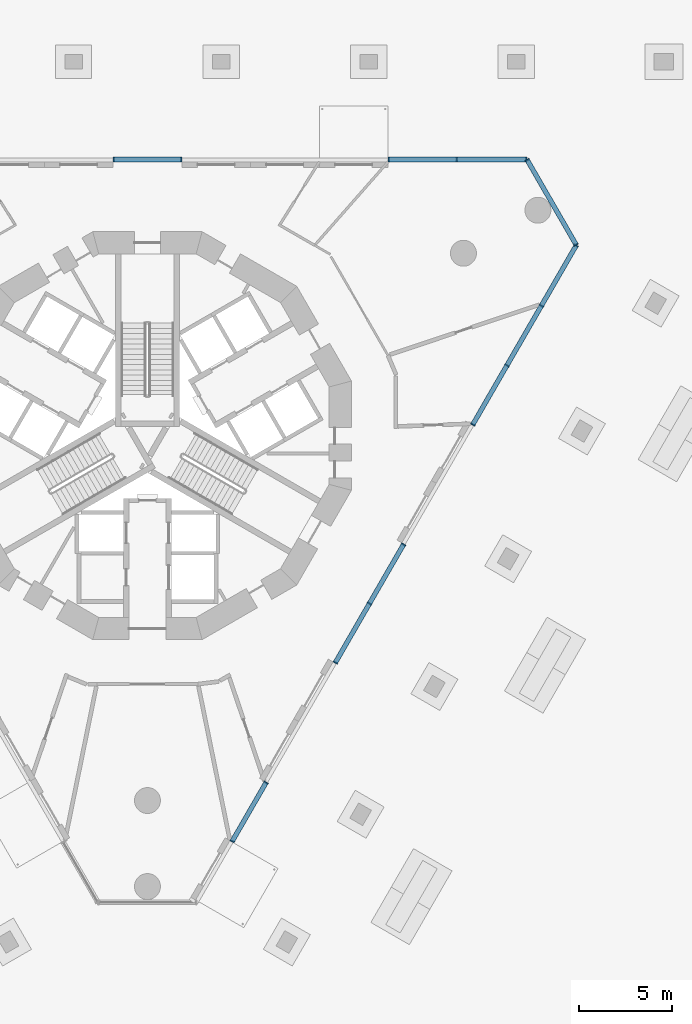
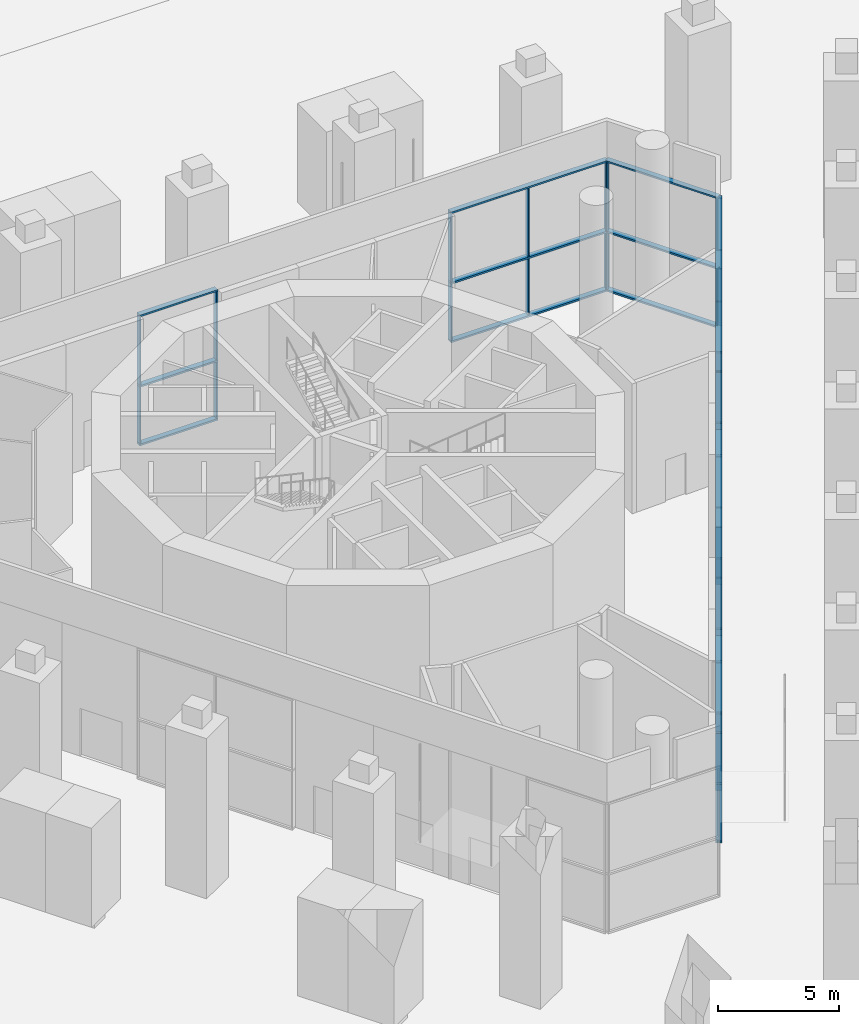
# One storey, part 3 of 26: 50 members, 6 elements without a shape of their own.
"""IFC4 building model written with IfcOpenShell, lengths in metres."""

from ifc_helpers import new_model, si_unit, direction, frame, origin, origin_2d, place, context, subcontext, project, spatial, rectangle, extrude, material, layer, layer_set, material_profile, profile_set, type_object, element, aggregate, save


model = new_model("IFC4")

# Units and contexts
model_context = context("Model", 3, precision=1e-05, world=origin(), true_north=direction((0.0, 1.0)))
body_context = subcontext(model_context, "Body", "Model", "MODEL_VIEW")
ifc_project = project(units=[si_unit("LENGTHUNIT", "METRE"), si_unit("AREAUNIT", "SQUARE_METRE"), si_unit("VOLUMEUNIT", "CUBIC_METRE"), si_unit("PLANEANGLEUNIT", "RADIAN"), si_unit("MASSUNIT", "GRAM", prefix="KILO")], contexts=[model_context])

# Site, building, storey
site_placement = place(None, origin())
site = spatial("IfcSite", under=ifc_project, at=site_placement, CompositionType="ELEMENT")
building_placement = place(site_placement, origin())
building = spatial("IfcBuilding", under=site, at=building_placement, Name="Trine Commons Tower", CompositionType="ELEMENT")
storey_placement = place(building_placement, origin())
storey = spatial("IfcBuildingStorey", under=building, at=storey_placement, Name="L00", CompositionType="ELEMENT", Elevation=0.0)

# Curtain wall, members
ifc_material_1 = material(Name="Ground pavilion glazing: stainless steel grade 1.4401 (aisi 316) frame with laminated low-iron glass unit", Category="steel")
ifc_layer = layer(ifc_material_1, 0.25)
ifc_layer_set = layer_set([ifc_layer], Name="Ground pavilion glazing: stainless steel grade 1.4401 (aisi 316) frame with laminated low-iron glass unit")
curtain_wall_type = type_object("IfcCurtainWallType", Name="Ground pavilion glazing curtain wall CW4", PredefinedType="NOTDEFINED", material=ifc_layer_set)
curtain_wall_1_placement = place(storey_placement, origin())
curtain_wall_1 = element("IfcCurtainWall", 1, at=curtain_wall_1_placement, inside=storey, type_object=curtain_wall_type, Name="Pavilion glazing F1.2", PredefinedType="NOTDEFINED")
ifc_material_2 = material(Name="Stainless steel grade 1.4401 (AISI 316), satin finish", Category="steel")
ifc_material_profile_1 = material_profile(ifc_material_2, rectangle(XDim=0.25, YDim=0.06005859375, at=origin_2d()), Name="Mullion 60x250")
ifc_profile_set_1 = profile_set([ifc_material_profile_1], Name="Stainless steel grade 1.4401 (AISI 316), satin finish")
member_type_1 = type_object("IfcMemberType", Name="Mullion 60x250, Stainless steel grade 1.4401 (AISI 316), satin finish", PredefinedType="MULLION", material=ifc_profile_set_1)
member_1_placement = place(storey_placement, frame((78.17431640625, 77.40966796875, 0.090087890625), z_axis=(0.0, 0.0, 1.0), x_axis=(0.0, 1.0, 0.0)))
member_1 = element("IfcMember", 2, at=member_1_placement, type_object=member_type_1, Name="CW4 mullion 1.1", PredefinedType="MULLION", context=body_context, shape_type="SweptSolid", body=[
    extrude(rectangle(XDim=0.25, YDim=0.06005859375, at=origin_2d()), origin(), (0.0, 0.0, 1.0), 2.864990234375),
])
member_2_placement = place(storey_placement, frame((78.17431640625, 77.40966796875, 3.044921875), z_axis=(0.0, 0.0, 1.0), x_axis=(0.0, 1.0, 0.0)))
member_2 = element("IfcMember", 3, at=member_2_placement, type_object=member_type_1, Name="CW4 mullion 1.2", PredefinedType="MULLION", context=body_context, shape_type="SweptSolid", body=[
    extrude(rectangle(XDim=0.25, YDim=0.06005859375, at=origin_2d()), origin(), (0.0, 0.0, 1.0), 3.465087890625),
])
member_3_placement = place(storey_placement, frame((81.82568359375, 77.40966796875, 0.090087890625), z_axis=(0.0, 0.0, 1.0), x_axis=(0.0, 1.0, 0.0)))
member_3 = element("IfcMember", 4, at=member_3_placement, type_object=member_type_1, Name="CW4 mullion 2.1", PredefinedType="MULLION", context=body_context, shape_type="SweptSolid", body=[
    extrude(rectangle(XDim=0.25, YDim=0.06005859375, at=origin_2d()), origin(), (0.0, 0.0, 1.0), 2.864990234375),
])
member_4_placement = place(storey_placement, frame((81.82568359375, 77.40966796875, 3.044921875), z_axis=(0.0, 0.0, 1.0), x_axis=(0.0, 1.0, 0.0)))
member_4 = element("IfcMember", 5, at=member_4_placement, type_object=member_type_1, Name="CW4 mullion 2.2", PredefinedType="MULLION", context=body_context, shape_type="SweptSolid", body=[
    extrude(rectangle(XDim=0.25, YDim=0.06005859375, at=origin_2d()), origin(), (0.0, 0.0, 1.0), 3.465087890625),
])

curtain_wall_2_placement = place(storey_placement, origin())
curtain_wall_2 = element("IfcCurtainWall", 6, at=curtain_wall_2_placement, inside=storey, type_object=curtain_wall_type, Name="Pavilion glazing F1.3", PredefinedType="NOTDEFINED")
member_5_placement = place(storey_placement, frame((93.019287109375, 77.40966796875, 0.090087890625), z_axis=(0.0, 0.0, 1.0), x_axis=(0.0, 1.0, 0.0)))
member_5 = element("IfcMember", 7, at=member_5_placement, type_object=member_type_1, Name="CW4 mullion 1.1", PredefinedType="MULLION", context=body_context, shape_type="SweptSolid", body=[
    extrude(rectangle(XDim=0.25, YDim=0.06005859375, at=origin_2d()), origin(), (0.0, 0.0, 1.0), 2.864990234375),
])
member_6_placement = place(storey_placement, frame((93.019287109375, 77.40966796875, 3.044921875), z_axis=(0.0, 0.0, 1.0), x_axis=(0.0, 1.0, 0.0)))
member_6 = element("IfcMember", 8, at=member_6_placement, type_object=member_type_1, Name="CW4 mullion 1.2", PredefinedType="MULLION", context=body_context, shape_type="SweptSolid", body=[
    extrude(rectangle(XDim=0.25, YDim=0.06005859375, at=origin_2d()), origin(), (0.0, 0.0, 1.0), 3.465087890625),
])
member_7_placement = place(storey_placement, frame((96.700439453125, 77.40966796875, 0.090087890625), z_axis=(0.0, 0.0, 1.0), x_axis=(0.0, 1.0, 0.0)))
member_7 = element("IfcMember", 9, at=member_7_placement, type_object=member_type_1, Name="CW4 mullion 2.1", PredefinedType="MULLION", context=body_context, shape_type="SweptSolid", body=[
    extrude(rectangle(XDim=0.25, YDim=0.06005859375, at=origin_2d()), origin(), (0.0, 0.0, 1.0), 2.864990234375),
])
member_8_placement = place(storey_placement, frame((96.700439453125, 77.40966796875, 3.044921875), z_axis=(0.0, 0.0, 1.0), x_axis=(0.0, 1.0, 0.0)))
member_8 = element("IfcMember", 10, at=member_8_placement, type_object=member_type_1, Name="CW4 mullion 2.2", PredefinedType="MULLION", context=body_context, shape_type="SweptSolid", body=[
    extrude(rectangle(XDim=0.25, YDim=0.06005859375, at=origin_2d()), origin(), (0.0, 0.0, 1.0), 3.465087890625),
])
member_9_placement = place(storey_placement, frame((100.45361328125, 77.40966796875, 0.090087890625), z_axis=(0.0, 0.0, 1.0), x_axis=(0.0, 1.0, 0.0)))
member_9 = element("IfcMember", 11, at=member_9_placement, type_object=member_type_1, Name="CW4 mullion 3.1", PredefinedType="MULLION", context=body_context, shape_type="SweptSolid", body=[
    extrude(rectangle(XDim=0.25, YDim=0.06005859375, at=origin_2d()), origin(), (0.0, 0.0, 1.0), 2.864990234375),
])
member_10_placement = place(storey_placement, frame((100.45361328125, 77.40966796875, 3.044921875), z_axis=(0.0, 0.0, 1.0), x_axis=(0.0, 1.0, 0.0)))
member_10 = element("IfcMember", 12, at=member_10_placement, type_object=member_type_1, Name="CW4 mullion 3.2", PredefinedType="MULLION", context=body_context, shape_type="SweptSolid", body=[
    extrude(rectangle(XDim=0.25, YDim=0.06005859375, at=origin_2d()), origin(), (0.0, 0.0, 1.0), 3.465087890625),
])

curtain_wall_3_placement = place(storey_placement, origin())
curtain_wall_3 = element("IfcCurtainWall", 13, at=curtain_wall_3_placement, inside=storey, type_object=curtain_wall_type, Name="Pavilion glazing C2.1", PredefinedType="NOTDEFINED")
member_11_placement = place(storey_placement, frame((100.498779296875, 77.383544921875, 0.090087890625), z_axis=(0.0, 0.0, 1.0), x_axis=(0.866025403784, 0.5, 0.0)))
member_11 = element("IfcMember", 14, at=member_11_placement, type_object=member_type_1, Name="CW4 mullion 1.1", PredefinedType="MULLION", context=body_context, shape_type="SweptSolid", body=[
    extrude(rectangle(XDim=0.25, YDim=0.06005859375, at=origin_2d()), origin(), (0.0, 0.0, 1.0), 2.864990234375),
])
member_12_placement = place(storey_placement, frame((100.498779296875, 77.383544921875, 3.044921875), z_axis=(0.0, 0.0, 1.0), x_axis=(0.866025403784, 0.5, 0.0)))
member_12 = element("IfcMember", 15, at=member_12_placement, type_object=member_type_1, Name="CW4 mullion 1.2", PredefinedType="MULLION", context=body_context, shape_type="SweptSolid", body=[
    extrude(rectangle(XDim=0.25, YDim=0.06005859375, at=origin_2d()), origin(), (0.0, 0.0, 1.0), 3.465087890625),
])
member_13_placement = place(storey_placement, frame((103.138916015625, 72.810546875, 0.090087890625), z_axis=(0.0, 0.0, 1.0), x_axis=(0.866025403784, 0.5, 0.0)))
member_13 = element("IfcMember", 16, at=member_13_placement, type_object=member_type_1, Name="CW4 mullion 2.1", PredefinedType="MULLION", context=body_context, shape_type="SweptSolid", body=[
    extrude(rectangle(XDim=0.25, YDim=0.06005859375, at=origin_2d()), origin(), (0.0, 0.0, 1.0), 2.864990234375),
])
member_14_placement = place(storey_placement, frame((103.138916015625, 72.810546875, 3.044921875), z_axis=(0.0, 0.0, 1.0), x_axis=(0.866025403784, 0.5, 0.0)))
member_14 = element("IfcMember", 17, at=member_14_placement, type_object=member_type_1, Name="CW4 mullion 2.2", PredefinedType="MULLION", context=body_context, shape_type="SweptSolid", body=[
    extrude(rectangle(XDim=0.25, YDim=0.06005859375, at=origin_2d()), origin(), (0.0, 0.0, 1.0), 3.465087890625),
])

curtain_wall_4_placement = place(storey_placement, origin())
curtain_wall_4 = element("IfcCurtainWall", 18, at=curtain_wall_4_placement, inside=storey, type_object=curtain_wall_type, Name="Pavilion glazing F2.1", PredefinedType="NOTDEFINED")
member_15_placement = place(storey_placement, frame((103.138916015625, 72.758544921875, 0.090087890625), z_axis=(0.0, 0.0, 1.0), x_axis=(0.866025403784, -0.5, 0.0)))
member_15 = element("IfcMember", 19, at=member_15_placement, type_object=member_type_1, Name="CW4 mullion 1.1", PredefinedType="MULLION", context=body_context, shape_type="SweptSolid", body=[
    extrude(rectangle(XDim=0.25, YDim=0.06005859375, at=origin_2d()), origin(), (0.0, 0.0, 1.0), 2.864990234375),
])
member_16_placement = place(storey_placement, frame((103.138916015625, 72.758544921875, 3.044921875), z_axis=(0.0, 0.0, 1.0), x_axis=(0.866025403784, -0.5, 0.0)))
member_16 = element("IfcMember", 20, at=member_16_placement, type_object=member_type_1, Name="CW4 mullion 1.2", PredefinedType="MULLION", context=body_context, shape_type="SweptSolid", body=[
    extrude(rectangle(XDim=0.25, YDim=0.06005859375, at=origin_2d()), origin(), (0.0, 0.0, 1.0), 3.465087890625),
])
member_17_placement = place(storey_placement, frame((101.26220703125, 69.508056640625, 0.090087890625), z_axis=(0.0, 0.0, 1.0), x_axis=(0.866025403784, -0.5, 0.0)))
member_17 = element("IfcMember", 21, at=member_17_placement, type_object=member_type_1, Name="CW4 mullion 2.1", PredefinedType="MULLION", context=body_context, shape_type="SweptSolid", body=[
    extrude(rectangle(XDim=0.25, YDim=0.06005859375, at=origin_2d()), origin(), (0.0, 0.0, 1.0), 2.864990234375),
])
member_18_placement = place(storey_placement, frame((101.26220703125, 69.508056640625, 3.044921875), z_axis=(0.0, 0.0, 1.0), x_axis=(0.866025403784, -0.5, 0.0)))
member_18 = element("IfcMember", 22, at=member_18_placement, type_object=member_type_1, Name="CW4 mullion 2.2", PredefinedType="MULLION", context=body_context, shape_type="SweptSolid", body=[
    extrude(rectangle(XDim=0.25, YDim=0.06005859375, at=origin_2d()), origin(), (0.0, 0.0, 1.0), 3.465087890625),
])
member_19_placement = place(storey_placement, frame((99.40673828125, 66.294189453125, 0.090087890625), z_axis=(0.0, 0.0, 1.0), x_axis=(0.866025403784, -0.5, 0.0)))
member_19 = element("IfcMember", 23, at=member_19_placement, type_object=member_type_1, Name="CW4 mullion 3.1", PredefinedType="MULLION", context=body_context, shape_type="SweptSolid", body=[
    extrude(rectangle(XDim=0.25, YDim=0.06005859375, at=origin_2d()), origin(), (0.0, 0.0, 1.0), 2.864990234375),
])
member_20_placement = place(storey_placement, frame((99.40673828125, 66.294189453125, 3.044921875), z_axis=(0.0, 0.0, 1.0), x_axis=(0.866025403784, -0.5, 0.0)))
member_20 = element("IfcMember", 24, at=member_20_placement, type_object=member_type_1, Name="CW4 mullion 3.2", PredefinedType="MULLION", context=body_context, shape_type="SweptSolid", body=[
    extrude(rectangle(XDim=0.25, YDim=0.06005859375, at=origin_2d()), origin(), (0.0, 0.0, 1.0), 3.465087890625),
])
member_21_placement = place(storey_placement, frame((97.566162109375, 63.106201171875, 0.090087890625), z_axis=(0.0, 0.0, 1.0), x_axis=(0.866025403784, -0.5, 0.0)))
member_21 = element("IfcMember", 25, at=member_21_placement, type_object=member_type_1, Name="CW4 mullion 4.1", PredefinedType="MULLION", context=body_context, shape_type="SweptSolid", body=[
    extrude(rectangle(XDim=0.25, YDim=0.06005859375, at=origin_2d()), origin(), (0.0, 0.0, 1.0), 2.864990234375),
])
member_22_placement = place(storey_placement, frame((97.566162109375, 63.106201171875, 3.044921875), z_axis=(0.0, 0.0, 1.0), x_axis=(0.866025403784, -0.5, 0.0)))
member_22 = element("IfcMember", 26, at=member_22_placement, type_object=member_type_1, Name="CW4 mullion 4.2", PredefinedType="MULLION", context=body_context, shape_type="SweptSolid", body=[
    extrude(rectangle(XDim=0.25, YDim=0.06005859375, at=origin_2d()), origin(), (0.0, 0.0, 1.0), 3.465087890625),
])

curtain_wall_5_placement = place(storey_placement, origin())
curtain_wall_5 = element("IfcCurtainWall", 27, at=curtain_wall_5_placement, inside=storey, type_object=curtain_wall_type, Name="Pavilion glazing F2.2", PredefinedType="NOTDEFINED")
member_23_placement = place(storey_placement, frame((93.824951171875, 56.626220703125, 0.090087890625), z_axis=(0.0, 0.0, 1.0), x_axis=(0.866025403784, -0.5, 0.0)))
member_23 = element("IfcMember", 28, at=member_23_placement, type_object=member_type_1, Name="CW4 mullion 1.1", PredefinedType="MULLION", context=body_context, shape_type="SweptSolid", body=[
    extrude(rectangle(XDim=0.25, YDim=0.06005859375, at=origin_2d()), origin(), (0.0, 0.0, 1.0), 2.864990234375),
])
member_24_placement = place(storey_placement, frame((93.824951171875, 56.626220703125, 3.044921875), z_axis=(0.0, 0.0, 1.0), x_axis=(0.866025403784, -0.5, 0.0)))
member_24 = element("IfcMember", 29, at=member_24_placement, type_object=member_type_1, Name="CW4 mullion 1.2", PredefinedType="MULLION", context=body_context, shape_type="SweptSolid", body=[
    extrude(rectangle(XDim=0.25, YDim=0.06005859375, at=origin_2d()), origin(), (0.0, 0.0, 1.0), 3.465087890625),
])
member_25_placement = place(storey_placement, frame((91.984375, 53.438232421875, 0.090087890625), z_axis=(0.0, 0.0, 1.0), x_axis=(0.866025403784, -0.5, 0.0)))
member_25 = element("IfcMember", 30, at=member_25_placement, type_object=member_type_1, Name="CW4 mullion 2.1", PredefinedType="MULLION", context=body_context, shape_type="SweptSolid", body=[
    extrude(rectangle(XDim=0.25, YDim=0.06005859375, at=origin_2d()), origin(), (0.0, 0.0, 1.0), 2.864990234375),
])
member_26_placement = place(storey_placement, frame((91.984375, 53.438232421875, 3.044921875), z_axis=(0.0, 0.0, 1.0), x_axis=(0.866025403784, -0.5, 0.0)))
member_26 = element("IfcMember", 31, at=member_26_placement, type_object=member_type_1, Name="CW4 mullion 2.2", PredefinedType="MULLION", context=body_context, shape_type="SweptSolid", body=[
    extrude(rectangle(XDim=0.25, YDim=0.06005859375, at=origin_2d()), origin(), (0.0, 0.0, 1.0), 3.465087890625),
])
member_27_placement = place(storey_placement, frame((90.143798828125, 50.250244140625, 0.090087890625), z_axis=(0.0, 0.0, 1.0), x_axis=(0.866025403784, -0.5, 0.0)))
member_27 = element("IfcMember", 32, at=member_27_placement, type_object=member_type_1, Name="CW4 mullion 3.1", PredefinedType="MULLION", context=body_context, shape_type="SweptSolid", body=[
    extrude(rectangle(XDim=0.25, YDim=0.06005859375, at=origin_2d()), origin(), (0.0, 0.0, 1.0), 2.864990234375),
])
member_28_placement = place(storey_placement, frame((90.143798828125, 50.250244140625, 3.044921875), z_axis=(0.0, 0.0, 1.0), x_axis=(0.866025403784, -0.5, 0.0)))
member_28 = element("IfcMember", 33, at=member_28_placement, type_object=member_type_1, Name="CW4 mullion 3.2", PredefinedType="MULLION", context=body_context, shape_type="SweptSolid", body=[
    extrude(rectangle(XDim=0.25, YDim=0.06005859375, at=origin_2d()), origin(), (0.0, 0.0, 1.0), 3.465087890625),
])

curtain_wall_6_placement = place(storey_placement, origin())
curtain_wall_6 = element("IfcCurtainWall", 34, at=curtain_wall_6_placement, inside=storey, type_object=curtain_wall_type, Name="Pavilion glazing F2.3", PredefinedType="NOTDEFINED")
member_29_placement = place(storey_placement, frame((86.402587890625, 43.770263671875, 0.090087890625), z_axis=(0.0, 0.0, 1.0), x_axis=(0.866025403784, -0.5, 0.0)))
member_29 = element("IfcMember", 35, at=member_29_placement, type_object=member_type_1, Name="CW4 mullion 1.1", PredefinedType="MULLION", context=body_context, shape_type="SweptSolid", body=[
    extrude(rectangle(XDim=0.25, YDim=0.06005859375, at=origin_2d()), origin(), (0.0, 0.0, 1.0), 2.864990234375),
])
member_30_placement = place(storey_placement, frame((86.402587890625, 43.770263671875, 3.044921875), z_axis=(0.0, 0.0, 1.0), x_axis=(0.866025403784, -0.5, 0.0)))
member_30 = element("IfcMember", 36, at=member_30_placement, type_object=member_type_1, Name="CW4 mullion 1.2", PredefinedType="MULLION", context=body_context, shape_type="SweptSolid", body=[
    extrude(rectangle(XDim=0.25, YDim=0.06005859375, at=origin_2d()), origin(), (0.0, 0.0, 1.0), 3.465087890625),
])
member_31_placement = place(storey_placement, frame((84.576904296875, 40.608154296875, 0.090087890625), z_axis=(0.0, 0.0, 1.0), x_axis=(0.866025403784, -0.5, 0.0)))
member_31 = element("IfcMember", 37, at=member_31_placement, type_object=member_type_1, Name="CW4 mullion 2.1", PredefinedType="MULLION", context=body_context, shape_type="SweptSolid", body=[
    extrude(rectangle(XDim=0.25, YDim=0.06005859375, at=origin_2d()), origin(), (0.0, 0.0, 1.0), 2.864990234375),
])
member_32_placement = place(storey_placement, frame((84.576904296875, 40.608154296875, 3.044921875), z_axis=(0.0, 0.0, 1.0), x_axis=(0.866025403784, -0.5, 0.0)))
member_32 = element("IfcMember", 38, at=member_32_placement, type_object=member_type_1, Name="CW4 mullion 2.2", PredefinedType="MULLION", context=body_context, shape_type="SweptSolid", body=[
    extrude(rectangle(XDim=0.25, YDim=0.06005859375, at=origin_2d()), origin(), (0.0, 0.0, 1.0), 3.465087890625),
])

# Member
ifc_material_profile_2 = material_profile(ifc_material_2, rectangle(XDim=0.25, YDim=0.090087890625, at=origin_2d()), Name="Transom 90x250")
ifc_profile_set_2 = profile_set([ifc_material_profile_2], Name="Stainless steel grade 1.4401 (AISI 316), satin finish")
member_type_2 = type_object("IfcMemberType", Name="Transom 90x250, Stainless steel grade 1.4401 (AISI 316), satin finish", PredefinedType="USERDEFINED", material=ifc_profile_set_2)
member_33_placement = place(storey_placement, frame((78.144287109375, 77.40966796875, 0.044921875), z_axis=(1.0, 0.0, 0.0), x_axis=(0.0, 1.0, 0.0)))
member_33 = element("IfcMember", 39, at=member_33_placement, type_object=member_type_2, Name="CW4 transom T00", ObjectType="TRANSOM", PredefinedType="USERDEFINED", context=body_context, shape_type="SweptSolid", body=[
    extrude(rectangle(XDim=0.25, YDim=0.090087890625, at=origin_2d()), origin(), (0.0, 0.0, 1.0), 3.71142578125),
])

member_34_placement = place(storey_placement, frame((78.144287109375, 77.40966796875, 3.0), z_axis=(1.0, 0.0, 0.0), x_axis=(0.0, 1.0, 0.0)))
member_34 = element("IfcMember", 40, at=member_34_placement, type_object=member_type_2, Name="CW4 transom T01", ObjectType="TRANSOM", PredefinedType="USERDEFINED", context=body_context, shape_type="SweptSolid", body=[
    extrude(rectangle(XDim=0.25, YDim=0.090087890625, at=origin_2d()), origin(), (0.0, 0.0, 1.0), 3.71142578125),
])

member_35_placement = place(storey_placement, frame((78.144287109375, 77.40966796875, 6.554931640625), z_axis=(1.0, 0.0, 0.0), x_axis=(0.0, 1.0, 0.0)))
member_35 = element("IfcMember", 41, at=member_35_placement, type_object=member_type_2, Name="CW4 transom TH00", ObjectType="TRANSOM", PredefinedType="USERDEFINED", context=body_context, shape_type="SweptSolid", body=[
    extrude(rectangle(XDim=0.25, YDim=0.090087890625, at=origin_2d()), origin(), (0.0, 0.0, 1.0), 3.71142578125),
])

aggregate(curtain_wall_1, [member_33, member_34, member_35, member_1, member_2, member_3, member_4])

member_36_placement = place(storey_placement, frame((92.9892578125, 77.40966796875, 0.044921875), z_axis=(1.0, 0.0, 0.0), x_axis=(0.0, 1.0, 0.0)))
member_36 = element("IfcMember", 42, at=member_36_placement, type_object=member_type_2, Name="CW4 transom T00", ObjectType="TRANSOM", PredefinedType="USERDEFINED", context=body_context, shape_type="SweptSolid", body=[
    extrude(rectangle(XDim=0.25, YDim=0.090087890625, at=origin_2d()), origin(), (0.0, 0.0, 1.0), 7.494384765625),
])

member_37_placement = place(storey_placement, frame((92.9892578125, 77.40966796875, 3.0), z_axis=(1.0, 0.0, 0.0), x_axis=(0.0, 1.0, 0.0)))
member_37 = element("IfcMember", 43, at=member_37_placement, type_object=member_type_2, Name="CW4 transom T01", ObjectType="TRANSOM", PredefinedType="USERDEFINED", context=body_context, shape_type="SweptSolid", body=[
    extrude(rectangle(XDim=0.25, YDim=0.090087890625, at=origin_2d()), origin(), (0.0, 0.0, 1.0), 7.494384765625),
])

member_38_placement = place(storey_placement, frame((92.9892578125, 77.40966796875, 6.554931640625), z_axis=(1.0, 0.0, 0.0), x_axis=(0.0, 1.0, 0.0)))
member_38 = element("IfcMember", 44, at=member_38_placement, type_object=member_type_2, Name="CW4 transom TH00", ObjectType="TRANSOM", PredefinedType="USERDEFINED", context=body_context, shape_type="SweptSolid", body=[
    extrude(rectangle(XDim=0.25, YDim=0.090087890625, at=origin_2d()), origin(), (0.0, 0.0, 1.0), 7.494384765625),
])

aggregate(curtain_wall_2, [member_36, member_37, member_38, member_5, member_6, member_7, member_8, member_9, member_10])

member_39_placement = place(storey_placement, frame((100.483642578125, 77.40966796875, 0.044921875), z_axis=(0.500023194138, -0.866012012228, 0.0), x_axis=(0.866012012228, 0.500023194138, 0.0)))
member_39 = element("IfcMember", 45, at=member_39_placement, type_object=member_type_2, Name="CW4 transom T00", ObjectType="TRANSOM", PredefinedType="USERDEFINED", context=body_context, shape_type="SweptSolid", body=[
    extrude(rectangle(XDim=0.25, YDim=0.090087890625, at=origin_2d()), origin(), (0.0, 0.0, 1.0), 5.340576171875),
])

member_40_placement = place(storey_placement, frame((100.483642578125, 77.40966796875, 3.0), z_axis=(0.500023194138, -0.866012012228, 0.0), x_axis=(0.866012012228, 0.500023194138, 0.0)))
member_40 = element("IfcMember", 46, at=member_40_placement, type_object=member_type_2, Name="CW4 transom T01", ObjectType="TRANSOM", PredefinedType="USERDEFINED", context=body_context, shape_type="SweptSolid", body=[
    extrude(rectangle(XDim=0.25, YDim=0.090087890625, at=origin_2d()), origin(), (0.0, 0.0, 1.0), 5.340576171875),
])

member_41_placement = place(storey_placement, frame((100.483642578125, 77.40966796875, 6.554931640625), z_axis=(0.500023194138, -0.866012012228, 0.0), x_axis=(0.866012012228, 0.500023194138, 0.0)))
member_41 = element("IfcMember", 47, at=member_41_placement, type_object=member_type_2, Name="CW4 transom TH00", ObjectType="TRANSOM", PredefinedType="USERDEFINED", context=body_context, shape_type="SweptSolid", body=[
    extrude(rectangle(XDim=0.25, YDim=0.090087890625, at=origin_2d()), origin(), (0.0, 0.0, 1.0), 5.340576171875),
])

aggregate(curtain_wall_3, [member_39, member_40, member_41, member_11, member_12, member_13, member_14])

member_42_placement = place(storey_placement, frame((103.154052734375, 72.78466796875, 0.044921875), z_axis=(-0.500005339912, -0.866022320763, 0.0), x_axis=(0.866022320763, -0.500005339912, 0.0)))
member_42 = element("IfcMember", 48, at=member_42_placement, type_object=member_type_2, Name="CW4 transom T00", ObjectType="TRANSOM", PredefinedType="USERDEFINED", context=body_context, shape_type="SweptSolid", body=[
    extrude(rectangle(XDim=0.25, YDim=0.090087890625, at=origin_2d()), origin(), (0.0, 0.0, 1.0), 11.2060546875),
])

member_43_placement = place(storey_placement, frame((103.154052734375, 72.78466796875, 3.0), z_axis=(-0.500005339912, -0.866022320763, 0.0), x_axis=(0.866022320763, -0.500005339912, 0.0)))
member_43 = element("IfcMember", 49, at=member_43_placement, type_object=member_type_2, Name="CW4 transom T01", ObjectType="TRANSOM", PredefinedType="USERDEFINED", context=body_context, shape_type="SweptSolid", body=[
    extrude(rectangle(XDim=0.25, YDim=0.090087890625, at=origin_2d()), origin(), (0.0, 0.0, 1.0), 11.2060546875),
])

member_44_placement = place(storey_placement, frame((103.154052734375, 72.78466796875, 6.554931640625), z_axis=(-0.500005339912, -0.866022320763, 0.0), x_axis=(0.866022320763, -0.500005339912, 0.0)))
member_44 = element("IfcMember", 50, at=member_44_placement, type_object=member_type_2, Name="CW4 transom TH00", ObjectType="TRANSOM", PredefinedType="USERDEFINED", context=body_context, shape_type="SweptSolid", body=[
    extrude(rectangle(XDim=0.25, YDim=0.090087890625, at=origin_2d()), origin(), (0.0, 0.0, 1.0), 11.2060546875),
])

aggregate(curtain_wall_4, [member_42, member_43, member_44, member_15, member_16, member_17, member_18, member_19, member_20, member_21, member_22])

member_45_placement = place(storey_placement, frame((93.83984375, 56.652099609375, 0.044921875), z_axis=(-0.499998637326, -0.866026190523, 0.0), x_axis=(0.866026190523, -0.499998637326, 0.0)))
member_45 = element("IfcMember", 51, at=member_45_placement, type_object=member_type_2, Name="CW4 transom T00", ObjectType="TRANSOM", PredefinedType="USERDEFINED", context=body_context, shape_type="SweptSolid", body=[
    extrude(rectangle(XDim=0.25, YDim=0.090087890625, at=origin_2d()), origin(), (0.0, 0.0, 1.0), 7.42236328125),
])

member_46_placement = place(storey_placement, frame((93.83984375, 56.652099609375, 3.0), z_axis=(-0.499998637326, -0.866026190523, 0.0), x_axis=(0.866026190523, -0.499998637326, 0.0)))
member_46 = element("IfcMember", 52, at=member_46_placement, type_object=member_type_2, Name="CW4 transom T01", ObjectType="TRANSOM", PredefinedType="USERDEFINED", context=body_context, shape_type="SweptSolid", body=[
    extrude(rectangle(XDim=0.25, YDim=0.090087890625, at=origin_2d()), origin(), (0.0, 0.0, 1.0), 7.42236328125),
])

member_47_placement = place(storey_placement, frame((93.83984375, 56.652099609375, 6.554931640625), z_axis=(-0.499998637326, -0.866026190523, 0.0), x_axis=(0.866026190523, -0.499998637326, 0.0)))
member_47 = element("IfcMember", 53, at=member_47_placement, type_object=member_type_2, Name="CW4 transom TH00", ObjectType="TRANSOM", PredefinedType="USERDEFINED", context=body_context, shape_type="SweptSolid", body=[
    extrude(rectangle(XDim=0.25, YDim=0.090087890625, at=origin_2d()), origin(), (0.0, 0.0, 1.0), 7.42236328125),
])

aggregate(curtain_wall_5, [member_45, member_46, member_47, member_23, member_24, member_25, member_26, member_27, member_28])

member_48_placement = place(storey_placement, frame((86.41748046875, 43.796142578125, 0.044921875), z_axis=(-0.499988210251, -0.866032210492, 0.0), x_axis=(0.866032210492, -0.499988210251, 0.0)))
member_48 = element("IfcMember", 54, at=member_48_placement, type_object=member_type_2, Name="CW4 transom T00", ObjectType="TRANSOM", PredefinedType="USERDEFINED", context=body_context, shape_type="SweptSolid", body=[
    extrude(rectangle(XDim=0.25, YDim=0.090087890625, at=origin_2d()), origin(), (0.0, 0.0, 1.0), 3.7109375),
])

member_49_placement = place(storey_placement, frame((86.41748046875, 43.796142578125, 3.0), z_axis=(-0.499988210251, -0.866032210492, 0.0), x_axis=(0.866032210492, -0.499988210251, 0.0)))
member_49 = element("IfcMember", 55, at=member_49_placement, type_object=member_type_2, Name="CW4 transom T01", ObjectType="TRANSOM", PredefinedType="USERDEFINED", context=body_context, shape_type="SweptSolid", body=[
    extrude(rectangle(XDim=0.25, YDim=0.090087890625, at=origin_2d()), origin(), (0.0, 0.0, 1.0), 3.7109375),
])

member_50_placement = place(storey_placement, frame((86.41748046875, 43.796142578125, 6.554931640625), z_axis=(-0.499988210251, -0.866032210492, 0.0), x_axis=(0.866032210492, -0.499988210251, 0.0)))
member_50 = element("IfcMember", 56, at=member_50_placement, type_object=member_type_2, Name="CW4 transom TH00", ObjectType="TRANSOM", PredefinedType="USERDEFINED", context=body_context, shape_type="SweptSolid", body=[
    extrude(rectangle(XDim=0.25, YDim=0.090087890625, at=origin_2d()), origin(), (0.0, 0.0, 1.0), 3.7109375),
])

aggregate(curtain_wall_6, [member_48, member_49, member_50, member_29, member_30, member_31, member_32])

save(model, "model.ifc")
